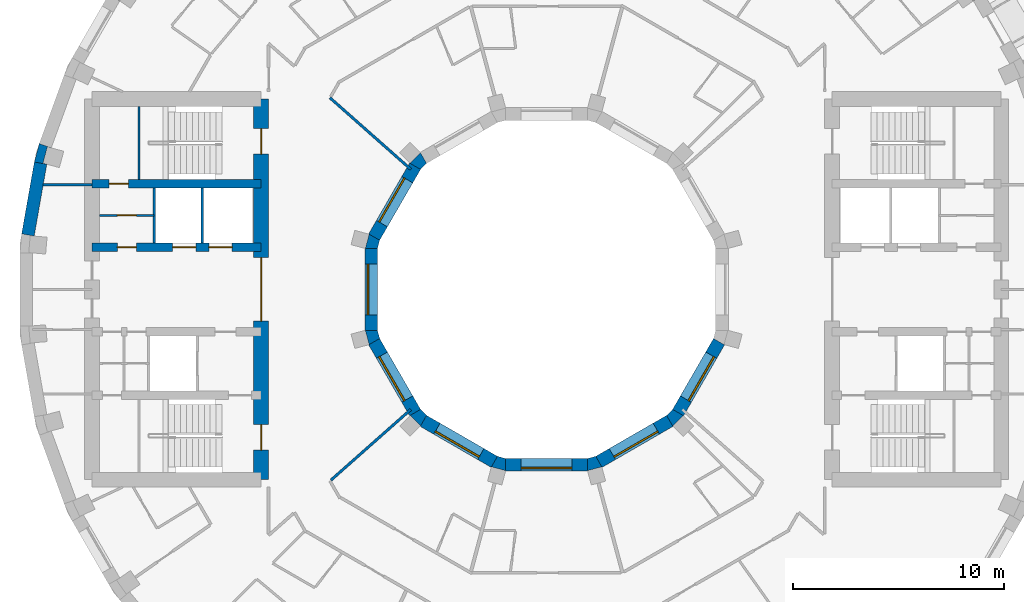
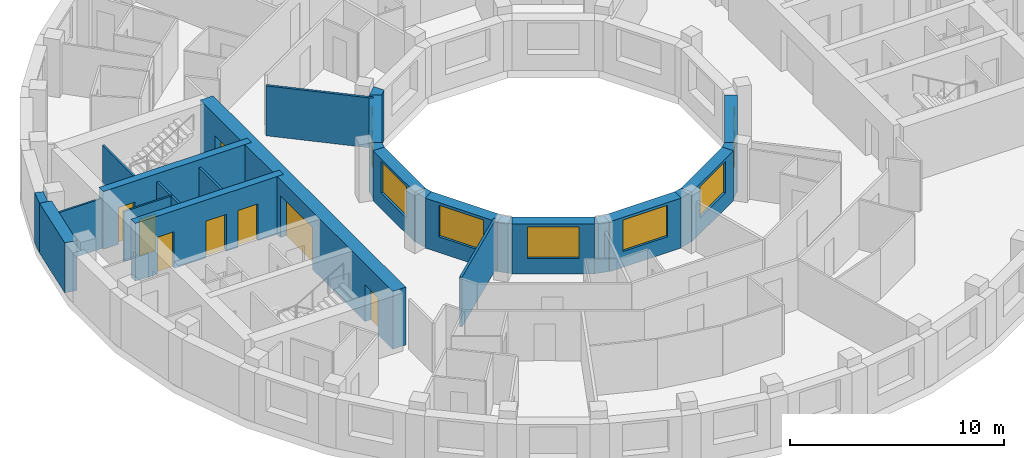
# One storey, part 4 of 11: 26 walls, 8 doors, 7 windows, 15 openings.
"""IFC4 building model written with IfcOpenShell, lengths in metres."""

from ifc_helpers import new_model, si_unit, direction, frame, frame_2d, origin, place, context, subcontext, project, spatial, polyline, rectangle, outline, extrude, material, layer, layer_set, type_object, element, fill, save


model = new_model("IFC4")

# Units and contexts
model_context = context("Model", 3, precision=1e-05, world=origin(), true_north=direction((0.0, 1.0)))
body_context = subcontext(model_context, "Body", "Model", "MODEL_VIEW")
ifc_project = project(units=[si_unit("LENGTHUNIT", "METRE"), si_unit("AREAUNIT", "SQUARE_METRE"), si_unit("VOLUMEUNIT", "CUBIC_METRE"), si_unit("PLANEANGLEUNIT", "RADIAN"), si_unit("MASSUNIT", "GRAM", prefix="KILO")], contexts=[model_context])

# Site, building, storey
site_placement = place(None, origin())
site = spatial("IfcSite", under=ifc_project, at=site_placement, CompositionType="ELEMENT")
building_placement = place(site_placement, origin())
building = spatial("IfcBuilding", under=site, at=building_placement, Name="Saqina Gate Tower", CompositionType="ELEMENT")
storey_placement = place(building_placement, frame((0.0, 0.0, 180.60009765625)))
storey = spatial("IfcBuildingStorey", under=building, at=storey_placement, Name="L51", CompositionType="ELEMENT", Elevation=180.60009765625)

# Walls
ifc_material_1 = material(Name="Brick masonry (buff)", Category="masonry")
wall_type_1 = type_object("IfcWallType", Name="BRICK PIER COPING BUFF", PredefinedType="SOLIDWALL", material=ifc_material_1)
wall_1_placement = place(storey_placement, origin())
element("IfcWall", 1, at=wall_1_placement, inside=storey, type_object=wall_type_1, Name="Pier cap L51 column 17", PredefinedType="SOLIDWALL", context=body_context, shape_type="SweptSolid", body=[
    extrude(outline(polyline([(-24.22705078125, 6.0234375), (-23.635986328125, 5.919189453125), (-23.81689453125, 5.967529296875), (-23.610107421875, 6.740478515625), (-23.428955078125, 6.69189453125), (-23.992919921875, 6.897216796875), (-24.22705078125, 6.0234375)])), origin(), (0.0, 0.0, 1.0), 2.849853515625),
])
ifc_material_2 = material(Name="Gypsum board on steel studs", Category="steel")
ifc_layer_1 = layer(ifc_material_2, 0.10009765625)
ifc_layer_set_1 = layer_set([ifc_layer_1], Name="CORE PARTITION")
wall_type_2 = type_object("IfcWallType", Name="CORE PARTITION", PredefinedType="PARTITIONING", material=ifc_layer_set_1)
wall_2_placement = place(storey_placement, frame((-21.5, 4.949951171875, 0.0), z_axis=(0.0, 0.0, 1.0), x_axis=(-1.0, 0.0, 0.0)))
element("IfcWall", 2, at=wall_2_placement, inside=storey, type_object=wall_type_2, Name="L51-CP-W01", PredefinedType="PARTITIONING", context=body_context, shape_type="SweptSolid", body=[
    extrude(rectangle(XDim=2.306884765625, YDim=0.10009765625, at=frame_2d((1.1533203125, 0.0))), origin(), (0.0, 0.0, 1.0), 2.849853515625),
])

# Wall, opening, door
wall_3_placement = place(storey_placement, frame((-18.56005859375, 3.5, 0.0), z_axis=(0.0, 0.0, 1.0), x_axis=(-1.0, 0.0, 0.0)))
wall_3 = element("IfcWall", 3, at=wall_3_placement, inside=storey, type_object=wall_type_2, Name="L51-CP-W10", PredefinedType="PARTITIONING", context=body_context, shape_type="SweptSolid", body=[
    extrude(rectangle(XDim=2.58984375, YDim=0.10009765625, at=frame_2d((1.294921875, 0.0))), origin(), (0.0, 0.0, 1.0), 2.849853515625),
])
opening_1_placement = place(wall_3_placement, frame((0.844970703125, 0.0, 0.0)))
opening_1 = element("IfcOpeningElement", 4, at=opening_1_placement, cuts=wall_3, Name="Opening G15-D113", PredefinedType="OPENING", context=body_context, shape_type="SweptSolid", body=[
    extrude(rectangle(XDim=0.89990234375, YDim=2.10009765625, at=frame_2d((0.449951171875, 1.050048828125))), frame((0.0, 0.06201171875, 0.0), z_axis=(0.0, -1.0, 0.0), x_axis=(1.0, 0.0, 0.0)), (0.0, 0.0, 1.0), 0.1240234375),
])
ifc_material_3 = material(Name="Steel-framed fire door leaf, EI 60", Category="steel")
door_type_1 = type_object("IfcDoorType", Name="SERVICE ROOM DOOR 900", OperationType="SINGLE_SWING_LEFT", PredefinedType="DOOR", material=ifc_material_3)
door_1_placement = place(opening_1_placement, frame((0.89990234375, 0.0, 0.0), z_axis=(0.0, 0.0, 1.0), x_axis=(-1.0, 0.0, 0.0)))
door_1 = element("IfcDoor", 5, at=door_1_placement, inside=storey, type_object=door_type_1, Name="L51-CD-W24", OperationType="SINGLE_SWING_LEFT", OverallHeight=2.10009765625, OverallWidth=0.89990234375, PredefinedType="DOOR", context=body_context, shape_type="SweptSolid", body=[
    extrude(rectangle(XDim=0.89990234375, YDim=2.10009765625, at=frame_2d((0.449951171875, 1.050048828125))), frame((0.0, 0.02490234375, 0.0), z_axis=(0.0, -1.0, 0.0), x_axis=(1.0, 0.0, 0.0)), (0.0, 0.0, 1.0), 0.050048828125),
])
fill(opening_1, door_1)

# Wall
ifc_material_4 = material(Name="Glazed ceramic tile (white)", Category="ceramic")
ifc_layer_2 = layer(ifc_material_4, 0.60009765625)
ifc_layer_set_2 = layer_set([ifc_layer_2], Name="FW-TILE-WH")
wall_type_3 = type_object("IfcWallType", Name="FW-TILE-WH", PredefinedType="SOLIDWALL", material=ifc_layer_set_2)
wall_4_placement = place(storey_placement, frame((-23.931640625, 5.97119140625, 0.0), z_axis=(0.0, 0.0, 1.0), x_axis=(-0.173607684551, -0.984814892183, 0.0)))
element("IfcWall", 6, at=wall_4_placement, inside=storey, type_object=wall_type_3, Name="Facade wall L51 facet 17", PredefinedType="SOLIDWALL", context=body_context, shape_type="SweptSolid", body=[
    extrude(rectangle(XDim=3.44970703125, YDim=0.60009765625, at=frame_2d((1.724853515625, 0.0))), origin(), (0.0, 0.0, 1.0), 2.849853515625),
])

# Wall, opening, window
ifc_material_5 = material(Name="Glazed ceramic tile", Category="ceramic")
ifc_layer_3 = layer(ifc_material_5, 0.60009765625)
ifc_layer_set_3 = layer_set([ifc_layer_3], Name="IW-TILE")
wall_type_4 = type_object("IfcWallType", Name="IW-TILE", PredefinedType="SOLIDWALL", material=ifc_layer_set_3)
wall_5_placement = place(storey_placement, frame((-6.220458984375, 5.82568359375, 0.0), z_axis=(0.0, 0.0, 1.0), x_axis=(-0.500033728941, -0.866005929495, 0.0)))
wall_5 = element("IfcWall", 7, at=wall_5_placement, inside=storey, type_object=wall_type_4, Name="Well wall L51 facet 5", PredefinedType="SOLIDWALL", context=body_context, shape_type="SweptSolid", body=[
    extrude(rectangle(XDim=3.869873046875, YDim=0.60009765625, at=frame_2d((1.93505859375, 0.0))), origin(), (0.0, 0.0, 1.0), 2.849853515625),
])
opening_2_placement = place(wall_5_placement, frame((0.73486328125, 0.0, 0.89990234375)))
opening_2 = element("IfcOpeningElement", 8, at=opening_2_placement, cuts=wall_5, Name="Opening G15-W30", PredefinedType="OPENING", context=body_context, shape_type="SweptSolid", body=[
    extrude(rectangle(XDim=2.39990234375, YDim=1.800048828125, at=frame_2d((1.199951171875, 0.89990234375))), frame((0.0, 0.31201171875, 0.0), z_axis=(0.0, -1.0, 0.0), x_axis=(1.0, 0.0, 0.0)), (0.0, 0.0, 1.0), 0.6240234375),
])
ifc_material_6 = material(Name="Aluminium glazing", Category="aluminium")
window_type = type_object("IfcWindowType", Name="WN-W", PartitioningType="SINGLE_PANEL", PredefinedType="WINDOW", material=ifc_material_6)
window_1_placement = place(opening_2_placement, origin())
window_1 = element("IfcWindow", 9, at=window_1_placement, inside=storey, type_object=window_type, Name="Well window L51 facet 5", OverallHeight=1.800048828125, OverallWidth=2.39990234375, PartitioningType="SINGLE_PANEL", PredefinedType="WINDOW", context=body_context, shape_type="SweptSolid", body=[
    extrude(rectangle(XDim=2.39990234375, YDim=1.800048828125, at=frame_2d((1.199951171875, 0.89990234375))), frame((0.0, -0.119873046875, 0.0), z_axis=(0.0, -1.0, 0.0), x_axis=(1.0, 0.0, 0.0)), (0.0, 0.0, 1.0), 0.06005859375),
])
fill(opening_2, window_1)

wall_6_placement = place(storey_placement, frame((-8.300048828125, 1.934814453125, 0.0), z_axis=(0.0, 0.0, 1.0), x_axis=(0.0, -1.0, 0.0)))
wall_6 = element("IfcWall", 10, at=wall_6_placement, inside=storey, type_object=wall_type_4, Name="Well wall L51 facet 6", PredefinedType="SOLIDWALL", context=body_context, shape_type="SweptSolid", body=[
    extrude(rectangle(XDim=3.86962890625, YDim=0.60009765625, at=frame_2d((1.934814453125, 0.0))), origin(), (0.0, 0.0, 1.0), 2.849853515625),
])
opening_3_placement = place(wall_6_placement, frame((0.73486328125, 0.0, 0.89990234375)))
opening_3 = element("IfcOpeningElement", 11, at=opening_3_placement, cuts=wall_6, Name="Opening G15-W31", PredefinedType="OPENING", context=body_context, shape_type="SweptSolid", body=[
    extrude(rectangle(XDim=2.39990234375, YDim=1.800048828125, at=frame_2d((1.199951171875, 0.89990234375))), frame((0.0, 0.31201171875, 0.0), z_axis=(0.0, -1.0, 0.0), x_axis=(1.0, 0.0, 0.0)), (0.0, 0.0, 1.0), 0.6240234375),
])
window_2_placement = place(opening_3_placement, origin())
window_2 = element("IfcWindow", 12, at=window_2_placement, inside=storey, type_object=window_type, Name="Well window L51 facet 6", OverallHeight=1.800048828125, OverallWidth=2.39990234375, PartitioningType="SINGLE_PANEL", PredefinedType="WINDOW", context=body_context, shape_type="SweptSolid", body=[
    extrude(rectangle(XDim=2.39990234375, YDim=1.800048828125, at=frame_2d((1.199951171875, 0.89990234375))), frame((0.0, -0.119873046875, 0.0), z_axis=(0.0, -1.0, 0.0), x_axis=(1.0, 0.0, 0.0)), (0.0, 0.0, 1.0), 0.06005859375),
])
fill(opening_3, window_2)

wall_7_placement = place(storey_placement, frame((-8.155517578125, -2.474365234375, 0.0), z_axis=(0.0, 0.0, 1.0), x_axis=(0.500033728941, -0.866005929495, 0.0)))
wall_7 = element("IfcWall", 13, at=wall_7_placement, inside=storey, type_object=wall_type_4, Name="Well wall L51 facet 7", PredefinedType="SOLIDWALL", context=body_context, shape_type="SweptSolid", body=[
    extrude(rectangle(XDim=3.869873046875, YDim=0.60009765625, at=frame_2d((1.93505859375, 0.0))), origin(), (0.0, 0.0, 1.0), 2.849853515625),
])
opening_4_placement = place(wall_7_placement, frame((0.73486328125, 0.0, 0.89990234375)))
opening_4 = element("IfcOpeningElement", 14, at=opening_4_placement, cuts=wall_7, Name="Opening G15-W32", PredefinedType="OPENING", context=body_context, shape_type="SweptSolid", body=[
    extrude(rectangle(XDim=2.39990234375, YDim=1.800048828125, at=frame_2d((1.199951171875, 0.89990234375))), frame((0.0, 0.31201171875, 0.0), z_axis=(0.0, -1.0, 0.0), x_axis=(1.0, 0.0, 0.0)), (0.0, 0.0, 1.0), 0.6240234375),
])
window_3_placement = place(opening_4_placement, origin())
window_3 = element("IfcWindow", 15, at=window_3_placement, inside=storey, type_object=window_type, Name="Well window L51 facet 7", OverallHeight=1.800048828125, OverallWidth=2.39990234375, PartitioningType="SINGLE_PANEL", PredefinedType="WINDOW", context=body_context, shape_type="SweptSolid", body=[
    extrude(rectangle(XDim=2.39990234375, YDim=1.800048828125, at=frame_2d((1.199951171875, 0.89990234375))), frame((0.0, -0.119873046875, 0.0), z_axis=(0.0, -1.0, 0.0), x_axis=(1.0, 0.0, 0.0)), (0.0, 0.0, 1.0), 0.06005859375),
])
fill(opening_4, window_3)

wall_8_placement = place(storey_placement, frame((-5.82568359375, -6.220458984375, 0.0), z_axis=(0.0, 0.0, 1.0), x_axis=(0.866005929495, -0.500033728941, 0.0)))
wall_8 = element("IfcWall", 16, at=wall_8_placement, inside=storey, type_object=wall_type_4, Name="Well wall L51 facet 8", PredefinedType="SOLIDWALL", context=body_context, shape_type="SweptSolid", body=[
    extrude(rectangle(XDim=3.869873046875, YDim=0.60009765625, at=frame_2d((1.93505859375, 0.0))), origin(), (0.0, 0.0, 1.0), 2.849853515625),
])
opening_5_placement = place(wall_8_placement, frame((0.73486328125, 0.0, 0.89990234375)))
opening_5 = element("IfcOpeningElement", 17, at=opening_5_placement, cuts=wall_8, Name="Opening G15-W33", PredefinedType="OPENING", context=body_context, shape_type="SweptSolid", body=[
    extrude(rectangle(XDim=2.39990234375, YDim=1.800048828125, at=frame_2d((1.199951171875, 0.89990234375))), frame((0.0, 0.31201171875, 0.0), z_axis=(0.0, -1.0, 0.0), x_axis=(1.0, 0.0, 0.0)), (0.0, 0.0, 1.0), 0.6240234375),
])
window_4_placement = place(opening_5_placement, origin())
window_4 = element("IfcWindow", 18, at=window_4_placement, inside=storey, type_object=window_type, Name="Well window L51 facet 8", OverallHeight=1.800048828125, OverallWidth=2.39990234375, PartitioningType="SINGLE_PANEL", PredefinedType="WINDOW", context=body_context, shape_type="SweptSolid", body=[
    extrude(rectangle(XDim=2.39990234375, YDim=1.800048828125, at=frame_2d((1.199951171875, 0.89990234375))), frame((0.0, -0.119873046875, 0.0), z_axis=(0.0, -1.0, 0.0), x_axis=(1.0, 0.0, 0.0)), (0.0, 0.0, 1.0), 0.06005859375),
])
fill(opening_5, window_4)

wall_9_placement = place(storey_placement, frame((-1.934814453125, -8.300048828125, 0.0), z_axis=(0.0, 0.0, 1.0), x_axis=(1.0, 0.0, 0.0)))
wall_9 = element("IfcWall", 19, at=wall_9_placement, inside=storey, type_object=wall_type_4, Name="Well wall L51 facet 9", PredefinedType="SOLIDWALL", context=body_context, shape_type="SweptSolid", body=[
    extrude(rectangle(XDim=3.86962890625, YDim=0.60009765625, at=frame_2d((1.934814453125, 0.0))), origin(), (0.0, 0.0, 1.0), 2.849853515625),
])
opening_6_placement = place(wall_9_placement, frame((0.73486328125, 0.0, 0.89990234375)))
opening_6 = element("IfcOpeningElement", 20, at=opening_6_placement, cuts=wall_9, Name="Opening G15-W34", PredefinedType="OPENING", context=body_context, shape_type="SweptSolid", body=[
    extrude(rectangle(XDim=2.39990234375, YDim=1.800048828125, at=frame_2d((1.199951171875, 0.89990234375))), frame((0.0, 0.31201171875, 0.0), z_axis=(0.0, -1.0, 0.0), x_axis=(1.0, 0.0, 0.0)), (0.0, 0.0, 1.0), 0.6240234375),
])
window_5_placement = place(opening_6_placement, origin())
window_5 = element("IfcWindow", 21, at=window_5_placement, inside=storey, type_object=window_type, Name="Well window L51 facet 9", OverallHeight=1.800048828125, OverallWidth=2.39990234375, PartitioningType="SINGLE_PANEL", PredefinedType="WINDOW", context=body_context, shape_type="SweptSolid", body=[
    extrude(rectangle(XDim=2.39990234375, YDim=1.800048828125, at=frame_2d((1.199951171875, 0.89990234375))), frame((0.0, -0.119873046875, 0.0), z_axis=(0.0, -1.0, 0.0), x_axis=(1.0, 0.0, 0.0)), (0.0, 0.0, 1.0), 0.06005859375),
])
fill(opening_6, window_5)

wall_10_placement = place(storey_placement, frame((2.474365234375, -8.155517578125, 0.0), z_axis=(0.0, 0.0, 1.0), x_axis=(0.866005929495, 0.500033728941, 0.0)))
wall_10 = element("IfcWall", 22, at=wall_10_placement, inside=storey, type_object=wall_type_4, Name="Well wall L51 facet 10", PredefinedType="SOLIDWALL", context=body_context, shape_type="SweptSolid", body=[
    extrude(rectangle(XDim=3.869873046875, YDim=0.60009765625, at=frame_2d((1.93505859375, 0.0))), origin(), (0.0, 0.0, 1.0), 2.849853515625),
])
opening_7_placement = place(wall_10_placement, frame((0.73486328125, 0.0, 0.89990234375)))
opening_7 = element("IfcOpeningElement", 23, at=opening_7_placement, cuts=wall_10, Name="Opening G15-W35", PredefinedType="OPENING", context=body_context, shape_type="SweptSolid", body=[
    extrude(rectangle(XDim=2.39990234375, YDim=1.800048828125, at=frame_2d((1.199951171875, 0.89990234375))), frame((0.0, 0.31201171875, 0.0), z_axis=(0.0, -1.0, 0.0), x_axis=(1.0, 0.0, 0.0)), (0.0, 0.0, 1.0), 0.6240234375),
])
window_6_placement = place(opening_7_placement, origin())
window_6 = element("IfcWindow", 24, at=window_6_placement, inside=storey, type_object=window_type, Name="Well window L51 facet 10", OverallHeight=1.800048828125, OverallWidth=2.39990234375, PartitioningType="SINGLE_PANEL", PredefinedType="WINDOW", context=body_context, shape_type="SweptSolid", body=[
    extrude(rectangle(XDim=2.39990234375, YDim=1.800048828125, at=frame_2d((1.199951171875, 0.89990234375))), frame((0.0, -0.119873046875, 0.0), z_axis=(0.0, -1.0, 0.0), x_axis=(1.0, 0.0, 0.0)), (0.0, 0.0, 1.0), 0.06005859375),
])
fill(opening_7, window_6)

wall_11_placement = place(storey_placement, frame((6.220458984375, -5.82568359375, 0.0), z_axis=(0.0, 0.0, 1.0), x_axis=(0.500033728941, 0.866005929495, 0.0)))
wall_11 = element("IfcWall", 25, at=wall_11_placement, inside=storey, type_object=wall_type_4, Name="Well wall L51 facet 11", PredefinedType="SOLIDWALL", context=body_context, shape_type="SweptSolid", body=[
    extrude(rectangle(XDim=3.869873046875, YDim=0.60009765625, at=frame_2d((1.93505859375, 0.0))), origin(), (0.0, 0.0, 1.0), 2.849853515625),
])
opening_8_placement = place(wall_11_placement, frame((0.73486328125, 0.0, 0.89990234375)))
opening_8 = element("IfcOpeningElement", 26, at=opening_8_placement, cuts=wall_11, Name="Opening G15-W36", PredefinedType="OPENING", context=body_context, shape_type="SweptSolid", body=[
    extrude(rectangle(XDim=2.39990234375, YDim=1.800048828125, at=frame_2d((1.199951171875, 0.89990234375))), frame((0.0, 0.31201171875, 0.0), z_axis=(0.0, -1.0, 0.0), x_axis=(1.0, 0.0, 0.0)), (0.0, 0.0, 1.0), 0.6240234375),
])
window_7_placement = place(opening_8_placement, origin())
window_7 = element("IfcWindow", 27, at=window_7_placement, inside=storey, type_object=window_type, Name="Well window L51 facet 11", OverallHeight=1.800048828125, OverallWidth=2.39990234375, PartitioningType="SINGLE_PANEL", PredefinedType="WINDOW", context=body_context, shape_type="SweptSolid", body=[
    extrude(rectangle(XDim=2.39990234375, YDim=1.800048828125, at=frame_2d((1.199951171875, 0.89990234375))), frame((0.0, -0.119873046875, 0.0), z_axis=(0.0, -1.0, 0.0), x_axis=(1.0, 0.0, 0.0)), (0.0, 0.0, 1.0), 0.06005859375),
])
fill(opening_8, window_7)

# Walls
ifc_material_7 = material(Name="Gypsum board on steel studs, 125 mm, fire rated", Category="steel")
ifc_layer_4 = layer(ifc_material_7, 0.125)
ifc_layer_set_4 = layer_set([ifc_layer_4], Name="PARTITION EI 30 125")
wall_type_5 = type_object("IfcWallType", Name="PARTITION EI 30 125", PredefinedType="PARTITIONING", material=ifc_layer_set_4)
wall_12_placement = place(storey_placement, frame((-10.242919921875, 9.06005859375, 0.0), z_axis=(0.0, 0.0, 1.0), x_axis=(0.748988343692, -0.662583172903, 0.0)))
element("IfcWall", 28, at=wall_12_placement, inside=storey, type_object=wall_type_5, Name="PARTITION PW1-10", PredefinedType="PARTITIONING", context=body_context, shape_type="SweptSolid", body=[
    extrude(rectangle(XDim=5.10302734375, YDim=0.125, at=frame_2d((2.551513671875, 0.0))), origin(), (0.0, 0.0, 1.0), 2.849853515625),
])
wall_13_placement = place(storey_placement, frame((-10.1962890625, -9.0185546875, 0.0), z_axis=(0.0, 0.0, 1.0), x_axis=(0.74896790207, 0.662606279527, 0.0)))
element("IfcWall", 29, at=wall_13_placement, inside=storey, type_object=wall_type_5, Name="PARTITION PW1-31", PredefinedType="PARTITIONING", context=body_context, shape_type="SweptSolid", body=[
    extrude(rectangle(XDim=5.04052734375, YDim=0.125, at=frame_2d((2.520263671875, 0.0))), origin(), (0.0, 0.0, 1.0), 2.849853515625),
])
ifc_material_8 = material(Name="Autoclaved aerated concrete block", Category="concrete")
ifc_layer_5 = layer(ifc_material_8, 0.1201171875)
ifc_layer_set_5 = layer_set([ifc_layer_5], Name="SHAFT PARTITION")
wall_type_6 = type_object("IfcWallType", Name="SHAFT PARTITION", PredefinedType="PARTITIONING", material=ifc_layer_set_5)
for number, where, z_axis, x_axis, name in (
    (30, (-16.280029296875, 2.199951171875, 0.0), (0.0, 0.0, 1.0), (0.0, 1.0, 0.0), "L51-CP-W05"),
    (31, (-18.56005859375, 2.199951171875, 0.0), (0.0, 0.0, 1.0), (0.0, 1.0, 0.0), "L51-CP-W06"),
):
    element("IfcWall", number, at=place(storey_placement, frame(where, z_axis=z_axis, x_axis=x_axis)), inside=storey, type_object=wall_type_6, Name=name, PredefinedType="PARTITIONING", context=body_context, shape_type="SweptSolid", body=[
        extrude(rectangle(XDim=2.60009765625, YDim=0.1201171875, at=frame_2d((1.300048828125, 0.0))), origin(), (0.0, 0.0, 1.0), 2.849853515625),
    ])
ifc_material_9 = material(Name="Autoclaved aerated concrete block", Category="concrete")
ifc_layer_6 = layer(ifc_material_9, 0.10009765625)
ifc_layer_set_6 = layer_set([ifc_layer_6], Name="STAIR ENCLOSURE WALL")
wall_type_7 = type_object("IfcWallType", Name="STAIR ENCLOSURE WALL", PredefinedType="PARTITIONING", material=ifc_layer_set_6)
wall_14_placement = place(storey_placement, frame((-19.27001953125, 5.199951171875, 0.0), z_axis=(0.0, 0.0, 1.0), x_axis=(0.0, 1.0, 0.0)))
element("IfcWall", 32, at=wall_14_placement, inside=storey, type_object=wall_type_7, Name="L51-CP-W13", PredefinedType="PARTITIONING", context=body_context, shape_type="SweptSolid", body=[
    extrude(rectangle(XDim=3.449951171875, YDim=0.10009765625, at=frame_2d((1.72509765625, 0.0))), origin(), (0.0, 0.0, 1.0), 2.849853515625),
])

# Wall, opening, door
ifc_material_10 = material(Name="Concrete C60/75", Category="concrete")
ifc_layer_7 = layer(ifc_material_10, 0.39990234375)
ifc_layer_set_7 = layer_set([ifc_layer_7], Name="Concrete C60/75")
wall_type_8 = type_object("IfcWallType", Name="STR-CORE WALL-C-I", PredefinedType="SHEAR", material=ifc_layer_set_7)
wall_15_placement = place(storey_placement, frame((-13.5, 5.0, 0.0), z_axis=(0.0, 0.0, 1.0), x_axis=(-1.0, 0.0, 0.0)))
wall_15 = element("IfcWall", 33, at=wall_15_placement, inside=storey, type_object=wall_type_8, Name="CORE WALL L51 W-X1", PredefinedType="SHEAR", context=body_context, shape_type="SweptSolid", body=[
    extrude(rectangle(XDim=8.0, YDim=0.39990234375, at=frame_2d((4.0, 0.0))), origin(), (0.0, 0.0, 1.0), 3.2998046875),
])
opening_9_placement = place(wall_15_placement, frame((6.284912109375, 0.0, 0.0)))
opening_9 = element("IfcOpeningElement", 34, at=opening_9_placement, cuts=wall_15, Name="Opening G15-D114", PredefinedType="OPENING", context=body_context, shape_type="SweptSolid", body=[
    extrude(rectangle(XDim=0.89990234375, YDim=2.10009765625, at=frame_2d((0.449951171875, 1.050048828125))), frame((0.0, 0.2119140625, 0.0), z_axis=(0.0, -1.0, 0.0), x_axis=(1.0, 0.0, 0.0)), (0.0, 0.0, 1.0), 0.423828125),
])
door_2_placement = place(opening_9_placement, frame((0.89990234375, 0.0, 0.0), z_axis=(0.0, 0.0, 1.0), x_axis=(-1.0, 0.0, 0.0)))
door_2 = element("IfcDoor", 35, at=door_2_placement, inside=storey, type_object=door_type_1, Name="L51-CD-W25", OperationType="SINGLE_SWING_LEFT", OverallHeight=2.10009765625, OverallWidth=0.89990234375, PredefinedType="DOOR", context=body_context, shape_type="SweptSolid", body=[
    extrude(rectangle(XDim=0.89990234375, YDim=2.10009765625, at=frame_2d((0.449951171875, 1.050048828125))), frame((0.0, 0.02490234375, 0.0), z_axis=(0.0, -1.0, 0.0), x_axis=(1.0, 0.0, 0.0)), (0.0, 0.0, 1.0), 0.050048828125),
])
fill(opening_9, door_2)

# Wall, openings, doors
wall_16_placement = place(storey_placement, frame((-13.5, 2.0, 0.0), z_axis=(0.0, 0.0, 1.0), x_axis=(-1.0, 0.0, 0.0)))
wall_16 = element("IfcWall", 36, at=wall_16_placement, inside=storey, type_object=wall_type_8, Name="CORE WALL L51 W-L1", PredefinedType="SHEAR", context=body_context, shape_type="SweptSolid", body=[
    extrude(rectangle(XDim=8.0, YDim=0.39990234375, at=frame_2d((4.0, 0.0))), origin(), (0.0, 0.0, 1.0), 3.2998046875),
])
opening_10_placement = place(wall_16_placement, frame((1.3701171875, 0.0, 0.0)))
opening_10 = element("IfcOpeningElement", 37, at=opening_10_placement, cuts=wall_16, Name="Opening G15-LD4", PredefinedType="OPENING", context=body_context, shape_type="SweptSolid", body=[
    extrude(rectangle(XDim=1.10009765625, YDim=2.10009765625, at=frame_2d((0.550048828125, 1.050048828125))), frame((0.0, 0.2119140625, 0.0), z_axis=(0.0, -1.0, 0.0), x_axis=(1.0, 0.0, 0.0)), (0.0, 0.0, 1.0), 0.423828125),
])
opening_11_placement = place(wall_16_placement, frame((3.090087890625, 0.0, 0.0)))
opening_11 = element("IfcOpeningElement", 38, at=opening_11_placement, cuts=wall_16, Name="Opening G15-LD5", PredefinedType="OPENING", context=body_context, shape_type="SweptSolid", body=[
    extrude(rectangle(XDim=1.10009765625, YDim=2.10009765625, at=frame_2d((0.550048828125, 1.050048828125))), frame((0.0, 0.2119140625, 0.0), z_axis=(0.0, -1.0, 0.0), x_axis=(1.0, 0.0, 0.0)), (0.0, 0.0, 1.0), 0.423828125),
])
opening_12_placement = place(wall_16_placement, frame((5.905029296875, 0.0, 0.0)))
opening_12 = element("IfcOpeningElement", 39, at=opening_12_placement, cuts=wall_16, Name="Opening G15-D106", PredefinedType="OPENING", context=body_context, shape_type="SweptSolid", body=[
    extrude(rectangle(XDim=0.89990234375, YDim=2.10009765625, at=frame_2d((0.449951171875, 1.050048828125))), frame((0.0, 0.2119140625, 0.0), z_axis=(0.0, -1.0, 0.0), x_axis=(1.0, 0.0, 0.0)), (0.0, 0.0, 1.0), 0.423828125),
])
ifc_material_11 = material(Name="Stainless steel", Category="steel")
door_type_2 = type_object("IfcDoorType", Name="LANDING DOOR", OperationType="DOUBLE_DOOR_SLIDING", PredefinedType="DOOR", material=ifc_material_11)
door_3_placement = place(opening_10_placement, origin())
door_3 = element("IfcDoor", 40, at=door_3_placement, inside=storey, type_object=door_type_2, Name="LANDING DOOR HR3", OperationType="DOUBLE_DOOR_SLIDING", OverallHeight=2.10009765625, OverallWidth=1.10009765625, PredefinedType="DOOR", context=body_context, shape_type="SweptSolid", body=[
    extrude(rectangle(XDim=1.10009765625, YDim=2.10009765625, at=frame_2d((0.550048828125, 1.050048828125))), frame((0.0, 0.02490234375, 0.0), z_axis=(0.0, -1.0, 0.0), x_axis=(1.0, 0.0, 0.0)), (0.0, 0.0, 1.0), 0.050048828125),
])
fill(opening_10, door_3)
door_4_placement = place(opening_11_placement, origin())
door_4 = element("IfcDoor", 41, at=door_4_placement, inside=storey, type_object=door_type_2, Name="LANDING DOOR HR4", OperationType="DOUBLE_DOOR_SLIDING", OverallHeight=2.10009765625, OverallWidth=1.10009765625, PredefinedType="DOOR", context=body_context, shape_type="SweptSolid", body=[
    extrude(rectangle(XDim=1.10009765625, YDim=2.10009765625, at=frame_2d((0.550048828125, 1.050048828125))), frame((0.0, 0.02490234375, 0.0), z_axis=(0.0, -1.0, 0.0), x_axis=(1.0, 0.0, 0.0)), (0.0, 0.0, 1.0), 0.050048828125),
])
fill(opening_11, door_4)
door_5_placement = place(opening_12_placement, frame((0.89990234375, 0.0, 0.0), z_axis=(0.0, 0.0, 1.0), x_axis=(-1.0, 0.0, 0.0)))
door_5 = element("IfcDoor", 42, at=door_5_placement, inside=storey, type_object=door_type_1, Name="L51-CD-W17", OperationType="SINGLE_SWING_LEFT", OverallHeight=2.10009765625, OverallWidth=0.89990234375, PredefinedType="DOOR", context=body_context, shape_type="SweptSolid", body=[
    extrude(rectangle(XDim=0.89990234375, YDim=2.10009765625, at=frame_2d((0.449951171875, 1.050048828125))), frame((0.0, 0.02490234375, 0.0), z_axis=(0.0, -1.0, 0.0), x_axis=(1.0, 0.0, 0.0)), (0.0, 0.0, 1.0), 0.050048828125),
])
fill(opening_12, door_5)

ifc_material_12 = material(Name="Concrete C60/75", Category="concrete")
ifc_layer_8 = layer(ifc_material_12, 0.699951171875)
ifc_layer_set_8 = layer_set([ifc_layer_8], Name="Concrete C60/75")
wall_type_9 = type_object("IfcWallType", Name="STR-CORE WALL-C-O", PredefinedType="SHEAR", material=ifc_layer_set_8)
wall_17_placement = place(storey_placement, frame((-13.5, -9.0, 0.0), z_axis=(0.0, 0.0, 1.0), x_axis=(0.0, 1.0, 0.0)))
wall_17 = element("IfcWall", 43, at=wall_17_placement, inside=storey, type_object=wall_type_9, Name="CORE WALL L51 W-W1", PredefinedType="SHEAR", context=body_context, shape_type="SweptSolid", body=[
    extrude(rectangle(XDim=18.0, YDim=0.699951171875, at=frame_2d((9.0, 0.0))), origin(), (0.0, 0.0, 1.0), 3.2998046875),
])
opening_13_placement = place(wall_17_placement, frame((15.39990234375, 0.0, 0.0)))
opening_13 = element("IfcOpeningElement", 44, at=opening_13_placement, cuts=wall_17, Name="Opening G15-D119", PredefinedType="OPENING", context=body_context, shape_type="SweptSolid", body=[
    extrude(rectangle(XDim=1.199951171875, YDim=2.10009765625, at=frame_2d((0.60009765625, 1.050048828125))), frame((0.0, 0.362060546875, 0.0), z_axis=(0.0, -1.0, 0.0), x_axis=(1.0, 0.0, 0.0)), (0.0, 0.0, 1.0), 0.723876953125),
])
opening_14_placement = place(wall_17_placement, frame((1.39990234375, 0.0, 0.0)))
opening_14 = element("IfcOpeningElement", 45, at=opening_14_placement, cuts=wall_17, Name="Opening G15-D120", PredefinedType="OPENING", context=body_context, shape_type="SweptSolid", body=[
    extrude(rectangle(XDim=1.199951171875, YDim=2.10009765625, at=frame_2d((0.60009765625, 1.050048828125))), frame((0.0, 0.362060546875, 0.0), z_axis=(0.0, -1.0, 0.0), x_axis=(1.0, 0.0, 0.0)), (0.0, 0.0, 1.0), 0.723876953125),
])
opening_15_placement = place(wall_17_placement, frame((7.5, 0.0, 0.0)))
opening_15 = element("IfcOpeningElement", 46, at=opening_15_placement, cuts=wall_17, Name="Opening G15-D121", PredefinedType="OPENING", context=body_context, shape_type="SweptSolid", body=[
    extrude(rectangle(XDim=3.0, YDim=2.39990234375, at=frame_2d((1.5, 1.199951171875))), frame((0.0, 0.362060546875, 0.0), z_axis=(0.0, -1.0, 0.0), x_axis=(1.0, 0.0, 0.0)), (0.0, 0.0, 1.0), 0.723876953125),
])
ifc_material_13 = material(Name="Steel", Category="steel")
door_type_3 = type_object("IfcDoorType", Name="FIRE DOOR EI 60", OperationType="SINGLE_SWING_LEFT", PredefinedType="DOOR", material=ifc_material_13)
door_6_placement = place(opening_13_placement, origin())
door_6 = element("IfcDoor", 47, at=door_6_placement, inside=storey, type_object=door_type_3, Name="L51-CD-W30", OperationType="SINGLE_SWING_RIGHT", OverallHeight=2.10009765625, OverallWidth=1.199951171875, PredefinedType="DOOR", context=body_context, shape_type="SweptSolid", body=[
    extrude(rectangle(XDim=1.199951171875, YDim=2.10009765625, at=frame_2d((0.60009765625, 1.050048828125))), frame((0.0, 0.02490234375, 0.0), z_axis=(0.0, -1.0, 0.0), x_axis=(1.0, 0.0, 0.0)), (0.0, 0.0, 1.0), 0.050048828125),
])
fill(opening_13, door_6)
door_7_placement = place(opening_14_placement, origin())
door_7 = element("IfcDoor", 48, at=door_7_placement, inside=storey, type_object=door_type_3, Name="L51-CD-W31", OperationType="SINGLE_SWING_LEFT", OverallHeight=2.10009765625, OverallWidth=1.199951171875, PredefinedType="DOOR", context=body_context, shape_type="SweptSolid", body=[
    extrude(rectangle(XDim=1.199951171875, YDim=2.10009765625, at=frame_2d((0.60009765625, 1.050048828125))), frame((0.0, 0.02490234375, 0.0), z_axis=(0.0, -1.0, 0.0), x_axis=(1.0, 0.0, 0.0)), (0.0, 0.0, 1.0), 0.050048828125),
])
fill(opening_14, door_7)
ifc_material_14 = material(Name="Steel and fire-resisting glass", Category="steel")
door_type_4 = type_object("IfcDoorType", Name="LOBBY SCREEN DOOR", OperationType="DOUBLE_DOOR_SLIDING", PredefinedType="DOOR", material=ifc_material_14)
door_8_placement = place(opening_15_placement, origin())
door_8 = element("IfcDoor", 49, at=door_8_placement, inside=storey, type_object=door_type_4, Name="L51-CD-W32", OperationType="DOUBLE_DOOR_SLIDING", OverallHeight=2.39990234375, OverallWidth=3.0, PredefinedType="DOOR", context=body_context, shape_type="SweptSolid", body=[
    extrude(rectangle(XDim=3.0, YDim=2.39990234375, at=frame_2d((1.5, 1.199951171875))), frame((0.0, 0.02490234375, 0.0), z_axis=(0.0, -1.0, 0.0), x_axis=(1.0, 0.0, 0.0)), (0.0, 0.0, 1.0), 0.050048828125),
])
fill(opening_15, door_8)

# Walls
ifc_material_15 = material(Name="Glazed ceramic tile", Category="ceramic")
wall_type_10 = type_object("IfcWallType", Name="TILE PIER COPING", PredefinedType="SOLIDWALL", material=ifc_material_15)
wall_18_placement = place(storey_placement, origin())
element("IfcWall", 50, at=wall_18_placement, inside=storey, type_object=wall_type_10, Name="Well pier cap L51 column 5", PredefinedType="SOLIDWALL", context=body_context, shape_type="SweptSolid", body=[
    extrude(outline(polyline([(-6.45751953125, 5.96240234375), (-5.960693359375, 5.67578125), (-5.67578125, 5.960693359375), (-5.96240234375, 6.45751953125), (-6.45751953125, 5.96240234375)])), origin(), (0.0, 0.0, 1.0), 2.849853515625),
])
wall_19_placement = place(storey_placement, origin())
element("IfcWall", 51, at=wall_19_placement, inside=storey, type_object=wall_type_10, Name="Well pier cap L51 column 6", PredefinedType="SOLIDWALL", context=body_context, shape_type="SweptSolid", body=[
    extrude(outline(polyline([(-8.573486328125, 1.934814453125), (-8.0, 1.934814453125), (-7.895751953125, 2.32421875), (-8.392333984375, 2.611083984375), (-8.573486328125, 1.934814453125)])), origin(), (0.0, 0.0, 1.0), 2.849853515625),
])
wall_20_placement = place(storey_placement, origin())
element("IfcWall", 52, at=wall_20_placement, inside=storey, type_object=wall_type_10, Name="Well pier cap L51 column 7", PredefinedType="SOLIDWALL", context=body_context, shape_type="SweptSolid", body=[
    extrude(outline(polyline([(-8.0, -1.934814453125), (-8.573486328125, -1.934814453125), (-8.392333984375, -2.611083984375), (-7.895751953125, -2.32421875), (-8.0, -1.934814453125)])), origin(), (0.0, 0.0, 1.0), 2.849853515625),
])
wall_21_placement = place(storey_placement, origin())
element("IfcWall", 53, at=wall_21_placement, inside=storey, type_object=wall_type_10, Name="Well pier cap L51 column 8", PredefinedType="SOLIDWALL", context=body_context, shape_type="SweptSolid", body=[
    extrude(outline(polyline([(-6.45751953125, -5.96240234375), (-5.96240234375, -6.45751953125), (-5.67578125, -5.960693359375), (-5.960693359375, -5.67578125), (-6.45751953125, -5.96240234375)])), origin(), (0.0, 0.0, 1.0), 2.849853515625),
])
wall_22_placement = place(storey_placement, origin())
element("IfcWall", 54, at=wall_22_placement, inside=storey, type_object=wall_type_10, Name="Well pier cap L51 column 9", PredefinedType="SOLIDWALL", context=body_context, shape_type="SweptSolid", body=[
    extrude(outline(polyline([(-1.934814453125, -8.573486328125), (-1.934814453125, -8.0), (-2.32421875, -7.895751953125), (-2.611083984375, -8.392333984375), (-1.934814453125, -8.573486328125)])), origin(), (0.0, 0.0, 1.0), 2.849853515625),
])
wall_23_placement = place(storey_placement, origin())
element("IfcWall", 55, at=wall_23_placement, inside=storey, type_object=wall_type_10, Name="Well pier cap L51 column 10", PredefinedType="SOLIDWALL", context=body_context, shape_type="SweptSolid", body=[
    extrude(outline(polyline([(2.611083984375, -8.392333984375), (2.32421875, -7.895751953125), (1.934814453125, -8.0), (1.934814453125, -8.573486328125), (2.611083984375, -8.392333984375)])), origin(), (0.0, 0.0, 1.0), 2.849853515625),
])
wall_24_placement = place(storey_placement, origin())
element("IfcWall", 56, at=wall_24_placement, inside=storey, type_object=wall_type_10, Name="Well pier cap L51 column 11", PredefinedType="SOLIDWALL", context=body_context, shape_type="SweptSolid", body=[
    extrude(outline(polyline([(5.96240234375, -6.45751953125), (6.45751953125, -5.96240234375), (5.960693359375, -5.67578125), (5.67578125, -5.960693359375), (5.96240234375, -6.45751953125)])), origin(), (0.0, 0.0, 1.0), 2.849853515625),
])

save(model, "model.ifc")
